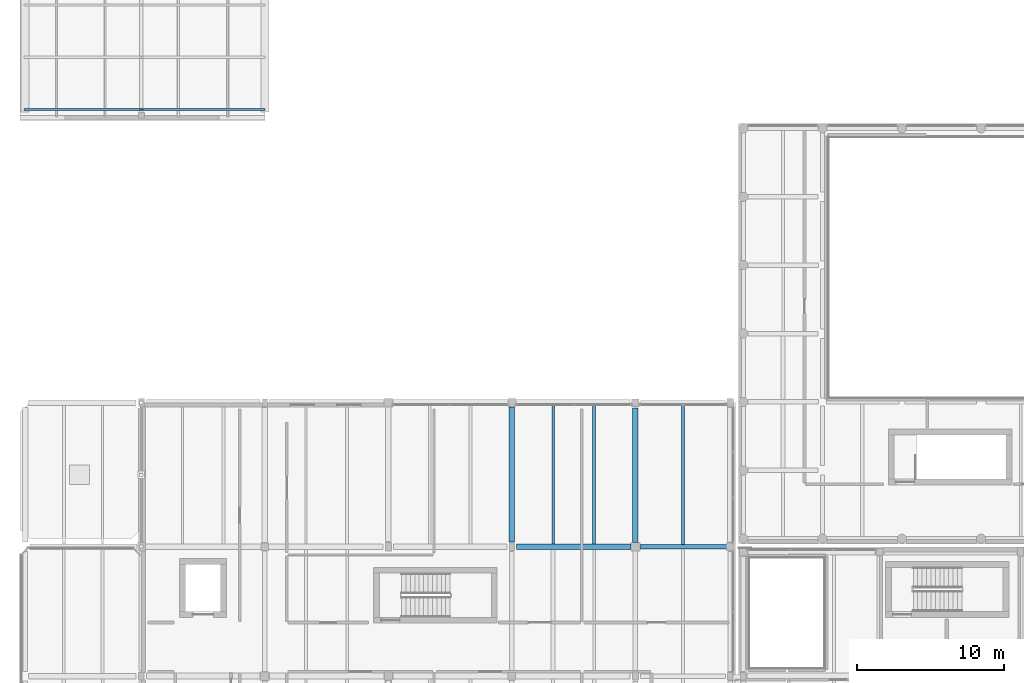
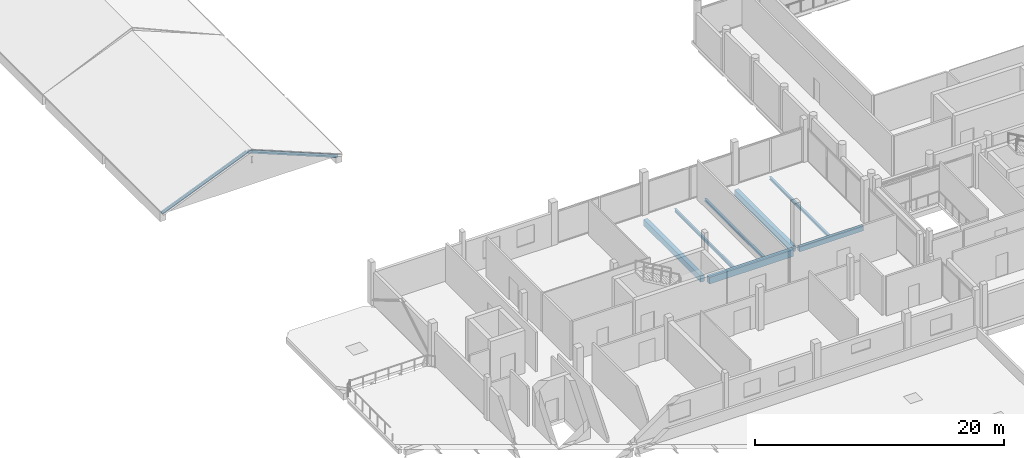
# One storey, part 9 of 66: 7 beams, 2 members.
"""IFC4 building model written with IfcOpenShell, lengths in metres."""

from ifc_helpers import new_model, si_unit, direction, frame, origin, origin_2d, place, context, subcontext, project, spatial, rectangle, i_section, extrude, material, material_profile, profile_set, type_object, element, save


model = new_model("IFC4")

# Units and contexts
model_context = context("Model", 3, precision=1e-05, world=origin(), true_north=direction((0.0, 1.0)))
body_context = subcontext(model_context, "Body", "Model", "MODEL_VIEW")
ifc_project = project(units=[si_unit("LENGTHUNIT", "METRE"), si_unit("AREAUNIT", "SQUARE_METRE"), si_unit("VOLUMEUNIT", "CUBIC_METRE"), si_unit("PLANEANGLEUNIT", "RADIAN"), si_unit("MASSUNIT", "GRAM", prefix="KILO")], contexts=[model_context])

# Site, building, storey
site_placement = place(None, origin())
site = spatial("IfcSite", under=ifc_project, at=site_placement, CompositionType="ELEMENT")
building_placement = place(site_placement, origin())
building = spatial("IfcBuilding", under=site, at=building_placement, Name="Birchvale Park Specialist Clinic", CompositionType="ELEMENT")
storey_placement = place(building_placement, frame((0.0, 0.0, 5.39990234375)))
storey = spatial("IfcBuildingStorey", under=building, at=storey_placement, Name="L01", CompositionType="ELEMENT", Elevation=5.39990234375)

# Beams
ifc_material_1 = material(Name="Concrete C40/50", Category="concrete")
ifc_material_profile_1 = material_profile(ifc_material_1, rectangle(XDim=0.39990234375, YDim=0.64990234375, at=origin_2d()), Name="RCB-400x650")
ifc_profile_set_1 = profile_set([ifc_material_profile_1], Name="Concrete C40/50")
beam_type_1 = type_object("IfcBeamType", Name="BM-INT-BG4", PredefinedType="BEAM", material=ifc_profile_set_1)
beam_1_placement = place(storey_placement, frame((36.72509765625, 34.60009765625, -0.6748046875), z_axis=(1.0, 0.0, 0.0), x_axis=(0.0, 1.0, 0.0)))
element("IfcBeam", 1, at=beam_1_placement, inside=storey, type_object=beam_type_1, Name="V2 L01 X girder 29", PredefinedType="BEAM", context=body_context, shape_type="SweptSolid", body=[
    extrude(rectangle(XDim=0.39990234375, YDim=0.64990234375, at=origin_2d()), origin(), (0.0, 0.0, 1.0), 7.77490234375),
])
ifc_material_profile_2 = material_profile(ifc_material_1, rectangle(XDim=0.3798828125, YDim=0.60009765625, at=origin_2d()), Name="RCB-380x600")
ifc_profile_set_2 = profile_set([ifc_material_profile_2], Name="Concrete C40/50")
beam_type_2 = type_object("IfcBeamType", Name="BM-INT-BG5", PredefinedType="BEAM", material=ifc_profile_set_2)
beam_2_placement = place(storey_placement, frame((36.39990234375, 34.925048828125, -0.64990234375), z_axis=(0.0, 1.0, 0.0), x_axis=(-1.0, 0.0, 0.0)))
element("IfcBeam", 2, at=beam_2_placement, inside=storey, type_object=beam_type_2, Name="V2 L01 Y girder 60", PredefinedType="BEAM", context=body_context, shape_type="SweptSolid", body=[
    extrude(rectangle(XDim=0.3798828125, YDim=0.60009765625, at=origin_2d()), origin(), (0.0, 0.0, 1.0), 9.175048828125),
])
beam_3_placement = place(storey_placement, frame((44.800048828125, 34.89990234375, -0.64990234375), z_axis=(0.0, 1.0, 0.0), x_axis=(-1.0, 0.0, 0.0)))
element("IfcBeam", 3, at=beam_3_placement, inside=storey, type_object=beam_type_2, Name="V2 L01 Y girder 65", PredefinedType="BEAM", context=body_context, shape_type="SweptSolid", body=[
    extrude(rectangle(XDim=0.3798828125, YDim=0.60009765625, at=origin_2d()), origin(), (0.0, 0.0, 1.0), 9.150146484375),
])
ifc_material_profile_3 = material_profile(ifc_material_1, rectangle(XDim=0.300048828125, YDim=0.449951171875, at=origin_2d()), Name="RCB-300x450")
ifc_profile_set_3 = profile_set([ifc_material_profile_3], Name="Concrete C40/50")
beam_type_3 = type_object("IfcBeamType", Name="BM-INT-BG8", PredefinedType="BEAM", material=ifc_profile_set_3)
beam_4_placement = place(storey_placement, frame((45.10009765625, 34.60009765625, -0.574951171875), z_axis=(1.0, 0.0, 0.0), x_axis=(0.0, 1.0, 0.0)))
element("IfcBeam", 4, at=beam_4_placement, inside=storey, type_object=beam_type_3, Name="V2 L01 X girder 30", PredefinedType="BEAM", context=body_context, shape_type="SweptSolid", body=[
    extrude(rectangle(XDim=0.300048828125, YDim=0.449951171875, at=origin_2d()), origin(), (0.0, 0.0, 1.0), 5.914794921875),
])

# Members
ifc_material_2 = material(Name="Glulam GL28h", Category="wood")
ifc_material_profile_4 = material_profile(ifc_material_2, rectangle(XDim=0.139892578125, YDim=0.280029296875, at=origin_2d()), Name="GL-140x280")
ifc_profile_set_4 = profile_set([ifc_material_profile_4], Name="Glulam GL28h")
member_type = type_object("IfcMemberType", Name="MEM-GR3", PredefinedType="RAFTER", material=ifc_profile_set_4)
member_1_placement = place(storey_placement, frame((3.27001953125, 64.35009765625, -0.46826171875), z_axis=(0.924558216687, 0.0, 0.381040816655), x_axis=(0.0, 1.0, 0.0)))
element("IfcMember", 5, at=member_1_placement, inside=storey, type_object=member_type, Name="L01 glulam roof rafter V2-L01-WP1 W.1", PredefinedType="RAFTER", context=body_context, shape_type="SweptSolid", body=[
    extrude(rectangle(XDim=0.139892578125, YDim=0.280029296875, at=origin_2d()), origin(), (0.0, 0.0, 1.0), 8.52294921875),
])
member_2_placement = place(storey_placement, frame((11.25, 64.35009765625, 2.78125), z_axis=(0.92694387814, 0.0, -0.375200009033), x_axis=(0.0, 1.0, 0.0)))
element("IfcMember", 6, at=member_2_placement, inside=storey, type_object=member_type, Name="L01 glulam roof rafter V2-L01-WP1 E.1", PredefinedType="RAFTER", context=body_context, shape_type="SweptSolid", body=[
    extrude(rectangle(XDim=0.139892578125, YDim=0.280029296875, at=origin_2d()), origin(), (0.0, 0.0, 1.0), 8.9541015625),
])

# Beams
ifc_material_3 = material(Name="Steel ASTM A992 Grade 50", Category="steel")
ifc_material_profile_5 = material_profile(ifc_material_3, i_section(OverallWidth=0.1669921875, OverallDepth=0.31689453125, WebThickness=0.007568359375, FlangeThickness=0.01318359375, at=origin_2d()), Name="W12X35")
ifc_profile_set_5 = profile_set([ifc_material_profile_5], Name="Steel ASTM A992 Grade 50")
beam_type_4 = type_object("IfcBeamType", Name="STL-INT-SJ3", PredefinedType="JOIST", material=ifc_profile_set_5)
beam_5_placement = place(storey_placement, frame((39.199951171875, 34.800048828125, -0.50830078125), z_axis=(0.0, 1.0, 0.0), x_axis=(-1.0, 0.0, 0.0)))
element("IfcBeam", 7, at=beam_5_placement, inside=storey, type_object=beam_type_4, Name="V2 L01 secondary floor joist 43", PredefinedType="JOIST", context=body_context, shape_type="SweptSolid", body=[
    extrude(i_section(OverallWidth=0.1669921875, OverallDepth=0.31689453125, WebThickness=0.007568359375, FlangeThickness=0.01318359375, at=origin_2d()), origin(), (0.0, 0.0, 1.0), 9.39990234375),
])
ifc_material_profile_6 = material_profile(ifc_material_3, i_section(OverallWidth=0.202880859375, OverallDepth=0.251953125, WebThickness=0.008056640625, FlangeThickness=0.013427734375, at=origin_2d()), Name="W10X39")
ifc_profile_set_6 = profile_set([ifc_material_profile_6], Name="Steel ASTM A992 Grade 50")
beam_type_5 = type_object("IfcBeamType", Name="STL-INT-SJ4", PredefinedType="JOIST", material=ifc_profile_set_6)
beam_6_placement = place(storey_placement, frame((42.0, 34.800048828125, -0.475830078125), z_axis=(0.0, 1.0, 0.0), x_axis=(-1.0, 0.0, 0.0)))
element("IfcBeam", 8, at=beam_6_placement, inside=storey, type_object=beam_type_5, Name="V2 L01 secondary floor joist 44", PredefinedType="JOIST", context=body_context, shape_type="SweptSolid", body=[
    extrude(i_section(OverallWidth=0.202880859375, OverallDepth=0.251953125, WebThickness=0.008056640625, FlangeThickness=0.013427734375, at=origin_2d()), origin(), (0.0, 0.0, 1.0), 9.39990234375),
])
beam_7_placement = place(storey_placement, frame((48.02490234375, 34.75, -0.475830078125), z_axis=(0.0, 1.0, 0.0), x_axis=(-1.0, 0.0, 0.0)))
element("IfcBeam", 9, at=beam_7_placement, inside=storey, type_object=beam_type_5, Name="V2 L01 secondary floor joist 49", PredefinedType="JOIST", context=body_context, shape_type="SweptSolid", body=[
    extrude(i_section(OverallWidth=0.202880859375, OverallDepth=0.251953125, WebThickness=0.008056640625, FlangeThickness=0.013427734375, at=origin_2d()), origin(), (0.0, 0.0, 1.0), 9.5),
])

save(model, "model.ifc")
